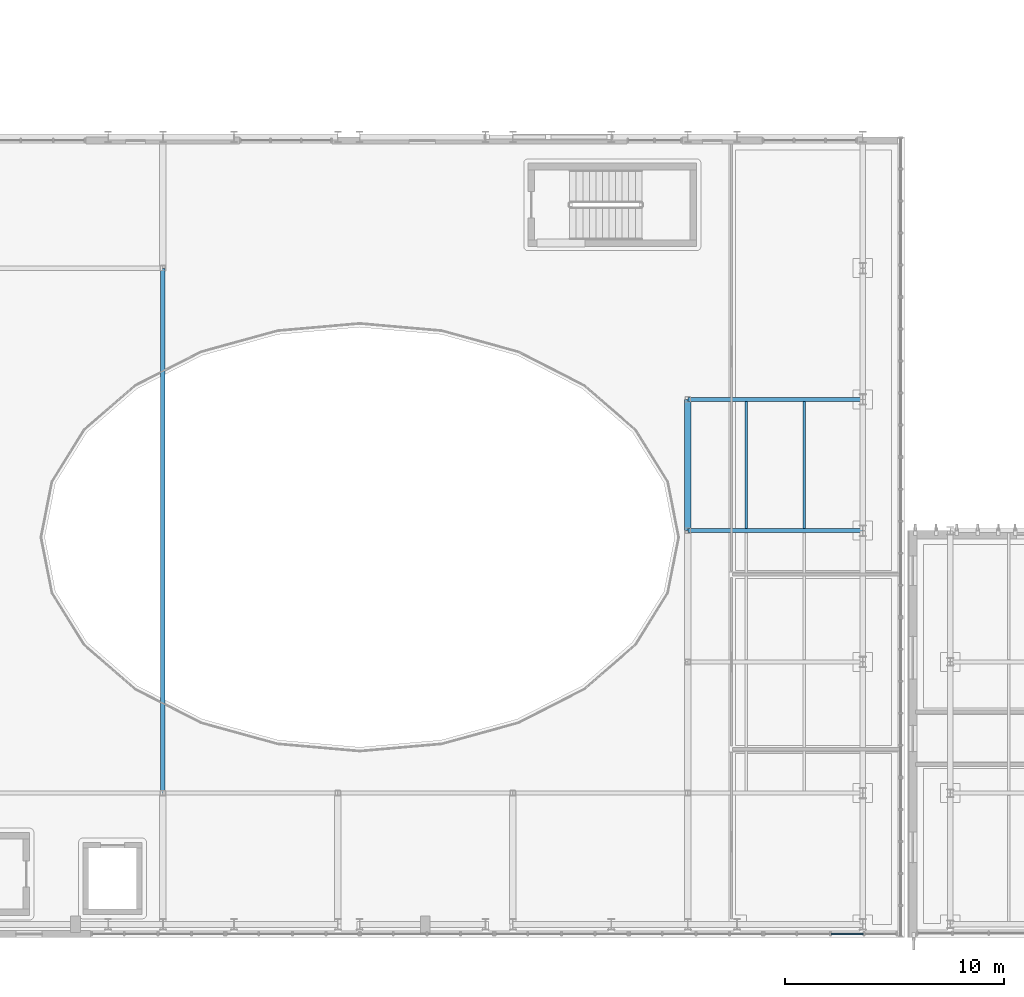
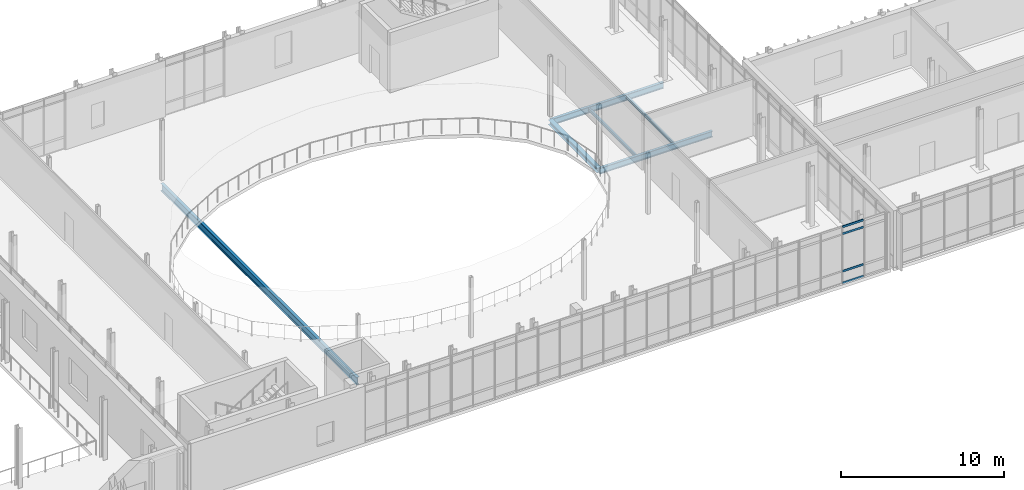
# One storey, part 29 of 100: 6 beams, 4 members, 1 element without a shape of its own.
"""IFC4 building model written with IfcOpenShell, lengths in metres."""

from ifc_helpers import new_model, si_unit, direction, frame, origin, origin_2d, place, context, subcontext, project, spatial, rectangle, i_section, extrude, material, material_profile, profile_set, type_object, element, aggregate, save


model = new_model("IFC4")

# Units and contexts
model_context = context("Model", 3, precision=1e-05, world=origin(), true_north=direction((0.0, 1.0)))
body_context = subcontext(model_context, "Body", "Model", "MODEL_VIEW")
ifc_project = project(units=[si_unit("LENGTHUNIT", "METRE"), si_unit("AREAUNIT", "SQUARE_METRE"), si_unit("VOLUMEUNIT", "CUBIC_METRE"), si_unit("PLANEANGLEUNIT", "RADIAN"), si_unit("MASSUNIT", "GRAM", prefix="KILO")], contexts=[model_context])

# Site, building, storey
site_placement = place(None, origin())
site = spatial("IfcSite", under=ifc_project, at=site_placement, CompositionType="ELEMENT")
building_placement = place(site_placement, origin())
building = spatial("IfcBuilding", under=site, at=building_placement, Name="Cymarion Research Institute", CompositionType="ELEMENT")
storey_placement = place(building_placement, frame((0.0, 0.0, 9.300048828125)))
storey = spatial("IfcBuildingStorey", under=building, at=storey_placement, Name="L02", CompositionType="ELEMENT", Elevation=9.300048828125)

# Curtain wall, members
ifc_material_1 = material(Name="Anodised aluminium unitised curtain wall with Low-E glazing", Category="aluminium")
curtain_wall_type = type_object("IfcCurtainWallType", Name="UNITISED CURTAIN WALL CW07 6150X4250", PredefinedType="NOTDEFINED", material=ifc_material_1)
curtain_wall_placement = place(storey_placement, origin())
curtain_wall = element("IfcCurtainWall", 1, at=curtain_wall_placement, inside=storey, type_object=curtain_wall_type, Name="L02 V2 unitised curtain wall CW07 #77", PredefinedType="NOTDEFINED")
ifc_material_2 = material(Name="Anodised aluminium framing", Category="aluminium")
ifc_material_profile_1 = material_profile(ifc_material_2, rectangle(XDim=0.06005859375, YDim=0.14990234375, at=origin_2d()), Name="ALU TRANSOM 60x150")
ifc_profile_set_1 = profile_set([ifc_material_profile_1], Name="Anodised aluminium framing")
member_type = type_object("IfcMemberType", Name="CURTAIN WALL TRANSOM TR01 60X150", PredefinedType="USERDEFINED", material=ifc_profile_set_1)
member_1_placement = place(storey_placement, frame((101.1533203125, 5.06005859375, 0.030029296875), z_axis=(1.0, 0.0, 0.0), x_axis=(0.0, 1.0, 0.0)))
member_1 = element("IfcMember", 2, at=member_1_placement, type_object=member_type, Name="CW07 transom 3.1", ObjectType="TRANSOM", PredefinedType="USERDEFINED", context=body_context, shape_type="SweptSolid", body=[
    extrude(rectangle(XDim=0.06005859375, YDim=0.14990234375, at=origin_2d()), origin(), (0.0, 0.0, 1.0), 1.477294921875),
])
member_2_placement = place(storey_placement, frame((101.1533203125, 5.06005859375, 0.89990234375), z_axis=(1.0, 0.0, 0.0), x_axis=(0.0, 1.0, 0.0)))
member_2 = element("IfcMember", 3, at=member_2_placement, type_object=member_type, Name="CW07 transom 3.2", ObjectType="TRANSOM", PredefinedType="USERDEFINED", context=body_context, shape_type="SweptSolid", body=[
    extrude(rectangle(XDim=0.06005859375, YDim=0.14990234375, at=origin_2d()), origin(), (0.0, 0.0, 1.0), 1.477294921875),
])
member_3_placement = place(storey_placement, frame((101.1533203125, 5.06005859375, 3.699951171875), z_axis=(1.0, 0.0, 0.0), x_axis=(0.0, 1.0, 0.0)))
member_3 = element("IfcMember", 4, at=member_3_placement, type_object=member_type, Name="CW07 transom 3.3", ObjectType="TRANSOM", PredefinedType="USERDEFINED", context=body_context, shape_type="SweptSolid", body=[
    extrude(rectangle(XDim=0.06005859375, YDim=0.14990234375, at=origin_2d()), origin(), (0.0, 0.0, 1.0), 1.477294921875),
])
member_4_placement = place(storey_placement, frame((101.1533203125, 5.06005859375, 4.219970703125), z_axis=(1.0, 0.0, 0.0), x_axis=(0.0, 1.0, 0.0)))
member_4 = element("IfcMember", 5, at=member_4_placement, type_object=member_type, Name="CW07 transom 3.4", ObjectType="TRANSOM", PredefinedType="USERDEFINED", context=body_context, shape_type="SweptSolid", body=[
    extrude(rectangle(XDim=0.06005859375, YDim=0.14990234375, at=origin_2d()), origin(), (0.0, 0.0, 1.0), 1.477294921875),
])
aggregate(curtain_wall, [member_1, member_2, member_3, member_4])

# Beams
ifc_material_3 = material(Name="Steel S355", Category="steel")
ifc_material_profile_2 = material_profile(ifc_material_3, i_section(OverallWidth=0.2099609375, OverallDepth=0.550048828125, WebThickness=0.010986328125, FlangeThickness=0.01708984375, FilletRadius=0.02392578125, at=origin_2d()), Name="IPE 550")
ifc_profile_set_2 = profile_set([ifc_material_profile_2], Name="Steel S355")
beam_type_1 = type_object("IfcBeamType", Name="PRIMARY GIRDER BM02 IPE 550", PredefinedType="BEAM", material=ifc_profile_set_2)
beam_1_placement = place(storey_placement, frame((70.60009765625, 11.506103515625, -0.525146484375), z_axis=(0.0, 1.0, 0.0), x_axis=(-1.0, 0.0, 0.0)))
element("IfcBeam", 6, at=beam_1_placement, inside=storey, type_object=beam_type_1, Name="L02 V2 girder BM02 #916", PredefinedType="BEAM", context=body_context, shape_type="SweptSolid", body=[
    extrude(i_section(OverallWidth=0.2099609375, OverallDepth=0.550048828125, WebThickness=0.010986328125, FlangeThickness=0.01708984375, FilletRadius=0.02392578125, at=origin_2d()), origin(), (0.0, 0.0, 1.0), 23.98779296875),
])
ifc_material_profile_3 = material_profile(ifc_material_3, i_section(OverallWidth=0.18994140625, OverallDepth=0.449951171875, WebThickness=0.009521484375, FlangeThickness=0.0146484375, FilletRadius=0.02099609375, at=origin_2d()), Name="IPE 450")
ifc_profile_set_3 = profile_set([ifc_material_profile_3], Name="Steel S355")
beam_type_2 = type_object("IfcBeamType", Name="PRIMARY GIRDER BM04 IPE 450", PredefinedType="BEAM", material=ifc_profile_set_3)
for number, where, z_axis, x_axis, name in (
    (7, (94.60595703125, 23.5, -0.47509765625), (1.0, 0.0, 0.0), (0.0, 1.0, 0.0), "L02 V2 girder BM04 #890"),
    (8, (94.60595703125, 29.5, -0.47509765625), (1.0, 0.0, 0.0), (0.0, 1.0, 0.0), "L02 V2 girder BM04 #892"),
):
    element("IfcBeam", number, at=place(storey_placement, frame(where, z_axis=z_axis, x_axis=x_axis)), inside=storey, type_object=beam_type_2, Name=name, PredefinedType="BEAM", context=body_context, shape_type="SweptSolid", body=[
        extrude(i_section(OverallWidth=0.18994140625, OverallDepth=0.449951171875, WebThickness=0.009521484375, FlangeThickness=0.0146484375, FilletRadius=0.02099609375, at=origin_2d()), origin(), (0.0, 0.0, 1.0), 7.988037109375),
    ])
ifc_material_profile_4 = material_profile(ifc_material_3, i_section(OverallWidth=0.300048828125, OverallDepth=0.35009765625, WebThickness=0.010009765625, FlangeThickness=0.017578125, FilletRadius=0.027099609375, at=origin_2d()), Name="HEA 360")
ifc_profile_set_4 = profile_set([ifc_material_profile_4], Name="Steel S355")
beam_type_3 = type_object("IfcBeamType", Name="PRIMARY GIRDER BM12 HEA 360", PredefinedType="BEAM", material=ifc_profile_set_4)
beam_2_placement = place(storey_placement, frame((94.60009765625, 23.506103515625, -0.425048828125), z_axis=(0.0, 1.0, 0.0), x_axis=(-1.0, 0.0, 0.0)))
element("IfcBeam", 9, at=beam_2_placement, inside=storey, type_object=beam_type_3, Name="L02 V2 girder BM12 #923", PredefinedType="BEAM", context=body_context, shape_type="SweptSolid", body=[
    extrude(i_section(OverallWidth=0.300048828125, OverallDepth=0.35009765625, WebThickness=0.010009765625, FlangeThickness=0.017578125, FilletRadius=0.027099609375, at=origin_2d()), origin(), (0.0, 0.0, 1.0), 5.98779296875),
])
ifc_material_profile_5 = material_profile(ifc_material_3, i_section(OverallWidth=0.1201171875, OverallDepth=0.239990234375, WebThickness=0.006103515625, FlangeThickness=0.009765625, FilletRadius=0.014892578125, at=origin_2d()), Name="IPE 240")
ifc_profile_set_5 = profile_set([ifc_material_profile_5], Name="Steel S355")
beam_type_4 = type_object("IfcBeamType", Name="SECONDARY JOIST JS04 IPE 240", PredefinedType="JOIST", material=ifc_profile_set_5)
for number, where, z_axis, x_axis, name in (
    (10, (97.2666015625, 23.59912109375, -0.3701171875), (0.0, 1.0, 0.0), (-1.0, 0.0, 0.0), "L02 V2 secondary joist JS04 #937"),
    (11, (99.933349609375, 23.59912109375, -0.3701171875), (0.0, 1.0, 0.0), (-1.0, 0.0, 0.0), "L02 V2 secondary joist JS04 #938"),
):
    element("IfcBeam", number, at=place(storey_placement, frame(where, z_axis=z_axis, x_axis=x_axis)), inside=storey, type_object=beam_type_4, Name=name, PredefinedType="JOIST", context=body_context, shape_type="SweptSolid", body=[
        extrude(i_section(OverallWidth=0.1201171875, OverallDepth=0.239990234375, WebThickness=0.006103515625, FlangeThickness=0.009765625, FilletRadius=0.014892578125, at=origin_2d()), origin(), (0.0, 0.0, 1.0), 5.8017578125),
    ])

save(model, "model.ifc")
